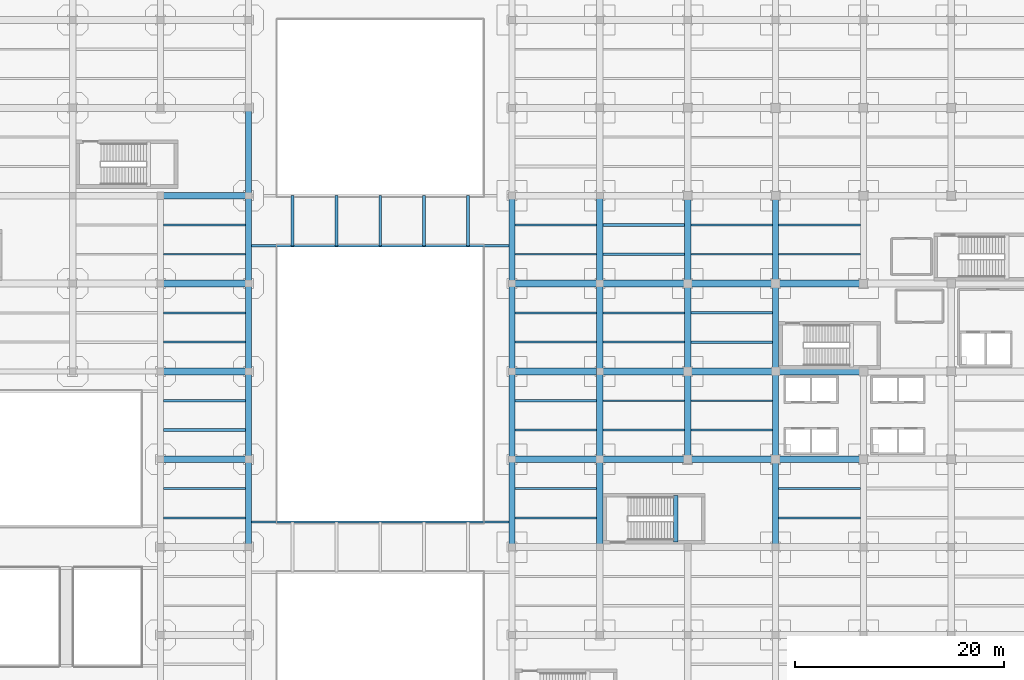
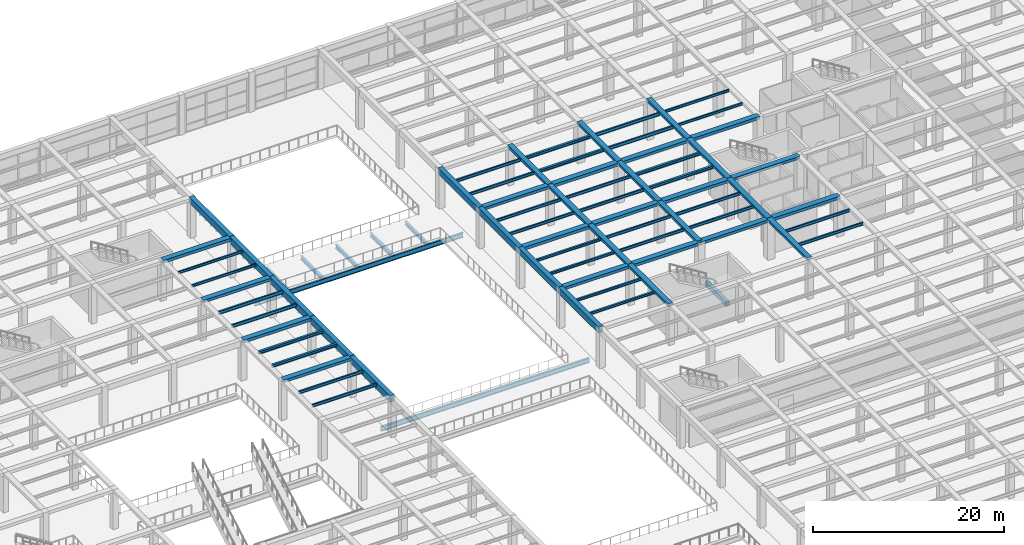
# One storey, part 42 of 95: 76 beams.
"""IFC4 building model written with IfcOpenShell, lengths in metres."""

import ifcopenshell
import ifcopenshell.guid

model = None  # the IFC model being written
_history = None  # IfcOwnerHistory: only IFC2X3 demands one
_inside = {}  # id of a spatial element -> (the spatial element, [elements in it])
_under = {}  # id of a project, library or spatial element -> (it, [spatial elements below it])
_declared = {}  # id of a project -> (the project, [libraries it declares])
_typed = {}  # id of a type object -> (the type object, [elements of that type])
_made_of = {}  # id of a material, layer set ... -> (it, [elements and type objects made of it])


def new_model(schema):
    """Start an empty IFC model of exactly this schema.

    Asked for "IFC4X3", IfcOpenShell would pick the latest addendum, in which some entities
    have other attributes; the version numbers below select the first issue.
    IFC2X3 requires an IfcOwnerHistory on every rooted entity: one is made here for all.
    """
    global model, _history
    if schema == "IFC4X3":
        model = ifcopenshell.file(schema_version=(4, 3, 0, 0))
    else:
        model = ifcopenshell.file(schema=schema)
    _inside.clear()
    _under.clear()
    _declared.clear()
    _typed.clear()
    _made_of.clear()
    _history = None
    if model.schema == "IFC2X3":
        org = make("IfcOrganization", Name="unknown")
        user = make(
            "IfcPersonAndOrganization",
            ThePerson=make("IfcPerson", FamilyName="unknown"),
            TheOrganization=org,
        )
        app = make(
            "IfcApplication",
            ApplicationDeveloper=org,
            Version="unknown",
            ApplicationFullName="unknown",
            ApplicationIdentifier="unknown",
        )
        _history = make(
            "IfcOwnerHistory",
            OwningUser=user,
            OwningApplication=app,
            ChangeAction="ADDED",
            CreationDate=0,
        )
    return model


def make(cls, **values):
    """One entity of the class cls with the attributes given. An attribute that is None is left unset."""
    return model.create_entity(
        cls, **{name: value for name, value in values.items() if value is not None}
    )


def rooted(cls, **values):
    """An entity with a GlobalId (a new one), such as an element, a storey or a relation."""
    return make(cls, GlobalId=ifcopenshell.guid.new(), OwnerHistory=_history, **values)


def si_unit(unit_type, name, prefix=None):
    """IfcSIUnit, for example si_unit("LENGTHUNIT", "METRE", prefix="MILLI")."""
    return make("IfcSIUnit", UnitType=unit_type, Prefix=prefix, Name=name)


def assignment(units):
    """IfcUnitAssignment: the units of a project."""
    return None if units is None else make("IfcUnitAssignment", Units=units)


def point(xyz):
    """IfcCartesianPoint."""
    return None if xyz is None else make("IfcCartesianPoint", Coordinates=xyz)


def direction(xyz):
    """IfcDirection."""
    return None if xyz is None else make("IfcDirection", DirectionRatios=xyz)


def frame(location, z_axis=None, x_axis=None):
    """IfcAxis2Placement3D, a coordinate frame: its origin and axes. An axis left out is left unset."""
    return make(
        "IfcAxis2Placement3D",
        Location=point(location),
        Axis=direction(z_axis),
        RefDirection=direction(x_axis),
    )


def frame_2d(location, x_axis=None):
    """IfcAxis2Placement2D, a coordinate frame in the plane: its origin and x axis."""
    return make(
        "IfcAxis2Placement2D", Location=point(location), RefDirection=direction(x_axis)
    )


def origin():
    """The frame at (0, 0, 0) with its axes left unset."""
    return frame((0.0, 0.0, 0.0))


def origin_2d():
    """The frame at (0, 0) in the plane with its x axis left unset."""
    return frame_2d((0.0, 0.0))


def place(relative_to, where):
    """IfcLocalPlacement: puts the frame where relative to a parent placement (None: the world)."""
    return make(
        "IfcLocalPlacement", PlacementRelTo=relative_to, RelativePlacement=where
    )


def context(
    kind, dimensions, precision=None, world=None, true_north=None, identifier=None
):
    """IfcGeometricRepresentationContext, for example the 3D "Model" context."""
    return make(
        "IfcGeometricRepresentationContext",
        ContextIdentifier=identifier,
        ContextType=kind,
        CoordinateSpaceDimension=dimensions,
        Precision=precision,
        WorldCoordinateSystem=world,
        TrueNorth=true_north,
    )


def subcontext(parent, identifier, kind, view, scale=None):
    """IfcGeometricRepresentationSubContext, for example "Body" below "Model"."""
    return make(
        "IfcGeometricRepresentationSubContext",
        ContextIdentifier=identifier,
        ContextType=kind,
        ParentContext=parent,
        TargetScale=scale,
        TargetView=view,
    )


def project(units=None, contexts=None):
    """IfcProject with its units and contexts."""
    return rooted(
        "IfcProject",
        Name="project",
        RepresentationContexts=contexts,
        UnitsInContext=assignment(units),
    )


def spatial(cls, under=None, at=None, **own):
    """A site, building, storey or space (cls), placed at a placement, below another one or the project."""
    s = rooted(cls, ObjectPlacement=at, **own)
    if under is not None:
        _under.setdefault(under.id(), (under, []))[1].append(s)
    return s


def profile(cls, at=None, kind="AREA", **sizes):
    """A parametric profile (cls). Its sizes go by their IFC names, for example OverallWidth=200.0."""
    return make(cls, ProfileType=kind, Position=at, **sizes)


def rectangle(**sizes):
    """IfcRectangleProfileDef."""
    return profile("IfcRectangleProfileDef", **sizes)


def i_section(**sizes):
    """IfcIShapeProfileDef."""
    return profile("IfcIShapeProfileDef", **sizes)


def extrude(swept, where, along, depth):
    """IfcExtrudedAreaSolid: the profile swept, set in the frame where, extruded along a direction by depth."""
    return make(
        "IfcExtrudedAreaSolid",
        SweptArea=swept,
        Position=where,
        ExtrudedDirection=direction(along),
        Depth=depth,
    )


def shape(context_of_items, identifier, shape_type, items):
    """IfcShapeRepresentation: the items that make up one representation, for example the "Body"."""
    return make(
        "IfcShapeRepresentation",
        ContextOfItems=context_of_items,
        RepresentationIdentifier=identifier,
        RepresentationType=shape_type,
        Items=items,
    )


def material(Name=None, Category=None):
    """IfcMaterial."""
    return make("IfcMaterial", Name=Name, Category=Category)


def material_profile(
    of_material, cross_section, Name=None, Category=None, Priority=None
):
    """IfcMaterialProfile: a cross section and its material."""
    return make(
        "IfcMaterialProfile",
        Name=Name,
        Material=of_material,
        Profile=cross_section,
        Priority=Priority,
        Category=Category,
    )


def profile_set(profiles, Name=None, composite=None):
    """IfcMaterialProfileSet."""
    return make(
        "IfcMaterialProfileSet",
        Name=Name,
        MaterialProfiles=profiles,
        CompositeProfile=composite,
    )


def made_of(thing, what):
    """Note that an element or type object is made of a material, layer set ...; save() writes the relation."""
    if what is not None:
        _made_of.setdefault(what.id(), (what, []))[1].append(thing)
    return thing


def type_object(cls, material=None, **own):
    """A type object (cls), such as IfcWallType, which elements share."""
    return made_of(rooted(cls, **own), material)


def element(
    cls,
    number,
    at=None,
    inside=None,
    cuts=None,
    type_object=None,
    material=None,
    context=None,
    identifier="Body",
    shape_type=None,
    held_by="IfcProductDefinitionShape",
    body=None,
    shapes=None,
    **own,
):
    """One element of the class cls, such as IfcWall. Its Tag is "e" and its number.

    at: its placement. inside: the storey or other place that contains it. cuts: it is an
    opening in that element (IfcRelVoidsElement). A single representation is given by context,
    identifier, shape_type and body (its items); several are given by shapes. held_by: the class
    of the entity that holds the representations. save() writes the other relations.
    """
    e = rooted(cls, Tag="e%d" % number, ObjectPlacement=at, **own)
    if body is not None:
        shapes = [shape(context, identifier, shape_type, body)]
    if shapes is not None:
        e.Representation = make(held_by, Representations=shapes)
    if inside is not None:
        _inside.setdefault(inside.id(), (inside, []))[1].append(e)
    if cuts is not None:
        rooted(
            "IfcRelVoidsElement", RelatingBuildingElement=cuts, RelatedOpeningElement=e
        )
    if type_object is not None:
        _typed.setdefault(type_object.id(), (type_object, []))[1].append(e)
    return made_of(e, material)


def aggregate(whole, parts):
    """IfcRelAggregates: a whole, such as a stair, and the parts it consists of."""
    return rooted("IfcRelAggregates", RelatingObject=whole, RelatedObjects=parts)


def save(model, path):
    """Write the relations noted so far, then the file.

    IfcRelAggregates (storeys below a building ...), IfcRelContainedInSpatialStructure (elements
    in a storey), IfcRelDefinesByType, IfcRelAssociatesMaterial and IfcRelDeclares: one each for
    every whole, place, type object, material and project.
    """
    for whole, parts in _under.values():
        aggregate(whole, parts)
    for where, things in _inside.values():
        rooted(
            "IfcRelContainedInSpatialStructure",
            RelatedElements=things,
            RelatingStructure=where,
        )
    for kind, things in _typed.values():
        rooted("IfcRelDefinesByType", RelatedObjects=things, RelatingType=kind)
    for what, things in _made_of.values():
        rooted("IfcRelAssociatesMaterial", RelatedObjects=things, RelatingMaterial=what)
    for by, libraries in _declared.values():
        rooted("IfcRelDeclares", RelatingContext=by, RelatedDefinitions=libraries)
    model.write(path)


model = new_model("IFC4")

# Units and contexts
model_context = context("Model", 3, precision=1e-05, world=origin(), true_north=direction((0.0, 1.0)))
body_context = subcontext(model_context, "Body", "Model", "MODEL_VIEW")
ifc_project = project(units=[si_unit("LENGTHUNIT", "METRE"), si_unit("AREAUNIT", "SQUARE_METRE"), si_unit("VOLUMEUNIT", "CUBIC_METRE"), si_unit("PLANEANGLEUNIT", "RADIAN"), si_unit("MASSUNIT", "GRAM", prefix="KILO")], contexts=[model_context])

# Site, building, storey
site_placement = place(None, origin())
site = spatial("IfcSite", under=ifc_project, at=site_placement, CompositionType="ELEMENT")
building_placement = place(site_placement, origin())
building = spatial("IfcBuilding", under=site, at=building_placement, Name="Almacenes y Pasaje Nevantli", CompositionType="ELEMENT")
storey_placement = place(building_placement, frame((0.0, 0.0, 11.39990234375)))
storey = spatial("IfcBuildingStorey", under=building, at=storey_placement, Name="L03", CompositionType="ELEMENT", Elevation=11.39990234375)

# Beams
ifc_material_1 = material(Name="Concrete C35/45", Category="concrete")
ifc_material_profile_1 = material_profile(ifc_material_1, rectangle(XDim=0.39990234375, YDim=0.60009765625, at=origin_2d()), Name="RC-BM-400x600")
ifc_profile_set_1 = profile_set([ifc_material_profile_1], Name="Concrete C35/45")
beam_type_1 = type_object("IfcBeamType", Name="BM-RC-400x600", PredefinedType="SPANDREL", material=ifc_profile_set_1)
beam_1_placement = place(storey_placement, frame((108.050048828125, 59.300048828125, 2.2001953125), z_axis=(0.0, 1.0, 0.0), x_axis=(-1.0, 0.0, 0.0)))
element("IfcBeam", 1, at=beam_1_placement, inside=storey, type_object=beam_type_1, Name="L03 Stair ST-13 Half-Landing Support Beam", PredefinedType="SPANDREL", context=body_context, shape_type="SweptSolid", body=[
    extrude(rectangle(XDim=0.39990234375, YDim=0.60009765625, at=origin_2d()), origin(), (0.0, 0.0, 1.0), 4.449951171875),
])
ifc_material_2 = material(Name="Concrete C35/45", Category="concrete")
ifc_material_profile_2 = material_profile(ifc_material_2, rectangle(XDim=0.550048828125, YDim=0.800048828125, at=origin_2d()), Name="RC-BM-550x800")
ifc_profile_set_2 = profile_set([ifc_material_profile_2], Name="Concrete C35/45")
beam_type_2 = type_object("IfcBeamType", Name="BM-RC-550x800", PredefinedType="BEAM", material=ifc_profile_set_2)
beam_2_placement = place(storey_placement, frame((67.199951171875, 58.800048828125, 4.7001953125), z_axis=(0.0, 1.0, 0.0), x_axis=(-1.0, 0.0, 0.0)))
element("IfcBeam", 2, at=beam_2_placement, inside=storey, type_object=beam_type_2, Name="L03 North-South Reinforced Concrete Beam #2575", PredefinedType="BEAM", context=body_context, shape_type="SweptSolid", body=[
    extrude(rectangle(XDim=0.550048828125, YDim=0.800048828125, at=origin_2d()), origin(), (0.0, 0.0, 1.0), 8.39990234375),
])
beam_3_placement = place(storey_placement, frame((67.199951171875, 67.199951171875, 4.7001953125), z_axis=(0.0, 1.0, 0.0), x_axis=(-1.0, 0.0, 0.0)))
element("IfcBeam", 3, at=beam_3_placement, inside=storey, type_object=beam_type_2, Name="L03 North-South Reinforced Concrete Beam #2576", PredefinedType="BEAM", context=body_context, shape_type="SweptSolid", body=[
    extrude(rectangle(XDim=0.550048828125, YDim=0.800048828125, at=origin_2d()), origin(), (0.0, 0.0, 1.0), 8.400146484375),
])
for number, where, z_axis, x_axis, name in (
    (4, (67.199951171875, 75.60009765625, 4.7001953125), (0.0, 1.0, 0.0), (-1.0, 0.0, 0.0), "L03 North-South Reinforced Concrete Beam #2577"),
    (5, (67.199951171875, 84.0, 4.7001953125), (0.0, 1.0, 0.0), (-1.0, 0.0, 0.0), "L03 North-South Reinforced Concrete Beam #2578"),
):
    element("IfcBeam", number, at=place(storey_placement, frame(where, z_axis=z_axis, x_axis=x_axis)), inside=storey, type_object=beam_type_2, Name=name, PredefinedType="BEAM", context=body_context, shape_type="SweptSolid", body=[
        extrude(rectangle(XDim=0.550048828125, YDim=0.800048828125, at=origin_2d()), origin(), (0.0, 0.0, 1.0), 8.39990234375),
    ])
beam_4_placement = place(storey_placement, frame((67.199951171875, 92.39990234375, 4.7001953125), z_axis=(0.0, 1.0, 0.0), x_axis=(-1.0, 0.0, 0.0)))
element("IfcBeam", 6, at=beam_4_placement, inside=storey, type_object=beam_type_2, Name="L03 North-South Reinforced Concrete Beam #2579", PredefinedType="BEAM", context=body_context, shape_type="SweptSolid", body=[
    extrude(rectangle(XDim=0.550048828125, YDim=0.800048828125, at=origin_2d()), origin(), (0.0, 0.0, 1.0), 8.400146484375),
])
beam_5_placement = place(storey_placement, frame((92.39990234375, 58.800048828125, 4.7001953125), z_axis=(0.0, 1.0, 0.0), x_axis=(-1.0, 0.0, 0.0)))
element("IfcBeam", 7, at=beam_5_placement, inside=storey, type_object=beam_type_2, Name="L03 North-South Reinforced Concrete Beam #2589", PredefinedType="BEAM", context=body_context, shape_type="SweptSolid", body=[
    extrude(rectangle(XDim=0.550048828125, YDim=0.800048828125, at=origin_2d()), origin(), (0.0, 0.0, 1.0), 8.39990234375),
])
beam_6_placement = place(storey_placement, frame((92.39990234375, 67.199951171875, 4.7001953125), z_axis=(0.0, 1.0, 0.0), x_axis=(-1.0, 0.0, 0.0)))
element("IfcBeam", 8, at=beam_6_placement, inside=storey, type_object=beam_type_2, Name="L03 North-South Reinforced Concrete Beam #2590", PredefinedType="BEAM", context=body_context, shape_type="SweptSolid", body=[
    extrude(rectangle(XDim=0.550048828125, YDim=0.800048828125, at=origin_2d()), origin(), (0.0, 0.0, 1.0), 8.400146484375),
])
for number, where, z_axis, x_axis, name in (
    (9, (92.39990234375, 75.60009765625, 4.7001953125), (0.0, 1.0, 0.0), (-1.0, 0.0, 0.0), "L03 North-South Reinforced Concrete Beam #2591"),
    (10, (92.39990234375, 84.0, 4.7001953125), (0.0, 1.0, 0.0), (-1.0, 0.0, 0.0), "L03 North-South Reinforced Concrete Beam #2592"),
):
    element("IfcBeam", number, at=place(storey_placement, frame(where, z_axis=z_axis, x_axis=x_axis)), inside=storey, type_object=beam_type_2, Name=name, PredefinedType="BEAM", context=body_context, shape_type="SweptSolid", body=[
        extrude(rectangle(XDim=0.550048828125, YDim=0.800048828125, at=origin_2d()), origin(), (0.0, 0.0, 1.0), 8.39990234375),
    ])
ifc_material_3 = material(Name="Concrete C35/45", Category="concrete")
ifc_material_profile_3 = material_profile(ifc_material_3, rectangle(XDim=0.60009765625, YDim=0.320068359375, at=origin_2d()), Name="RC-BM-600x320")
ifc_profile_set_3 = profile_set([ifc_material_profile_3], Name="Concrete C35/45")
beam_type_3 = type_object("IfcBeamType", Name="BM-RC-600x320", PredefinedType="BEAM", material=ifc_profile_set_3)
for number, where, z_axis, x_axis, name in (
    (11, (100.800048828125, 58.800048828125, 4.940185546875), (0.0, 1.0, 0.0), (-1.0, 0.0, 0.0), "L03 North-South Reinforced Concrete Beam #2602"),
    (12, (100.800048828125, 75.60009765625, 4.940185546875), (0.0, 1.0, 0.0), (-1.0, 0.0, 0.0), "L03 North-South Reinforced Concrete Beam #2604"),
):
    element("IfcBeam", number, at=place(storey_placement, frame(where, z_axis=z_axis, x_axis=x_axis)), inside=storey, type_object=beam_type_3, Name=name, PredefinedType="BEAM", context=body_context, shape_type="SweptSolid", body=[
        extrude(rectangle(XDim=0.60009765625, YDim=0.320068359375, at=origin_2d()), origin(), (0.0, 0.0, 1.0), 8.39990234375),
    ])
beam_7_placement = place(storey_placement, frame((109.199951171875, 67.199951171875, 4.940185546875), z_axis=(0.0, 1.0, 0.0), x_axis=(-1.0, 0.0, 0.0)))
element("IfcBeam", 13, at=beam_7_placement, inside=storey, type_object=beam_type_3, Name="L03 North-South Reinforced Concrete Beam #2616", PredefinedType="BEAM", context=body_context, shape_type="SweptSolid", body=[
    extrude(rectangle(XDim=0.60009765625, YDim=0.320068359375, at=origin_2d()), origin(), (0.0, 0.0, 1.0), 8.400146484375),
])
for number, where, z_axis, x_axis, name in (
    (14, (109.199951171875, 84.0, 4.940185546875), (0.0, 1.0, 0.0), (-1.0, 0.0, 0.0), "L03 North-South Reinforced Concrete Beam #2618"),
    (15, (117.60009765625, 58.800048828125, 4.940185546875), (0.0, 1.0, 0.0), (-1.0, 0.0, 0.0), "L03 North-South Reinforced Concrete Beam #2629"),
    (16, (117.60009765625, 75.60009765625, 4.940185546875), (0.0, 1.0, 0.0), (-1.0, 0.0, 0.0), "L03 North-South Reinforced Concrete Beam #2631"),
):
    element("IfcBeam", number, at=place(storey_placement, frame(where, z_axis=z_axis, x_axis=x_axis)), inside=storey, type_object=beam_type_3, Name=name, PredefinedType="BEAM", context=body_context, shape_type="SweptSolid", body=[
        extrude(rectangle(XDim=0.60009765625, YDim=0.320068359375, at=origin_2d()), origin(), (0.0, 0.0, 1.0), 8.39990234375),
    ])
ifc_material_4 = material(Name="Concrete C35/45", Category="concrete")
ifc_material_profile_4 = material_profile(ifc_material_4, rectangle(XDim=0.60009765625, YDim=0.340087890625, at=origin_2d()), Name="RC-BM-600x340")
ifc_profile_set_4 = profile_set([ifc_material_profile_4], Name="Concrete C35/45")
beam_type_4 = type_object("IfcBeamType", Name="BM-RC-600x340", PredefinedType="BEAM", material=ifc_profile_set_4)
beam_8_placement = place(storey_placement, frame((100.800048828125, 67.199951171875, 4.93017578125), z_axis=(0.0, 1.0, 0.0), x_axis=(-1.0, 0.0, 0.0)))
element("IfcBeam", 17, at=beam_8_placement, inside=storey, type_object=beam_type_4, Name="L03 North-South Reinforced Concrete Beam #2603", PredefinedType="BEAM", context=body_context, shape_type="SweptSolid", body=[
    extrude(rectangle(XDim=0.60009765625, YDim=0.340087890625, at=origin_2d()), origin(), (0.0, 0.0, 1.0), 8.400146484375),
])
for number, where, z_axis, x_axis, name in (
    (18, (100.800048828125, 84.0, 4.93017578125), (0.0, 1.0, 0.0), (-1.0, 0.0, 0.0), "L03 North-South Reinforced Concrete Beam #2605"),
    (19, (109.199951171875, 75.60009765625, 4.93017578125), (0.0, 1.0, 0.0), (-1.0, 0.0, 0.0), "L03 North-South Reinforced Concrete Beam #2617"),
):
    element("IfcBeam", number, at=place(storey_placement, frame(where, z_axis=z_axis, x_axis=x_axis)), inside=storey, type_object=beam_type_4, Name=name, PredefinedType="BEAM", context=body_context, shape_type="SweptSolid", body=[
        extrude(rectangle(XDim=0.60009765625, YDim=0.340087890625, at=origin_2d()), origin(), (0.0, 0.0, 1.0), 8.39990234375),
    ])
beam_9_placement = place(storey_placement, frame((117.60009765625, 67.199951171875, 4.93017578125), z_axis=(0.0, 1.0, 0.0), x_axis=(-1.0, 0.0, 0.0)))
element("IfcBeam", 20, at=beam_9_placement, inside=storey, type_object=beam_type_4, Name="L03 North-South Reinforced Concrete Beam #2630", PredefinedType="BEAM", context=body_context, shape_type="SweptSolid", body=[
    extrude(rectangle(XDim=0.60009765625, YDim=0.340087890625, at=origin_2d()), origin(), (0.0, 0.0, 1.0), 8.400146484375),
])
beam_10_placement = place(storey_placement, frame((117.60009765625, 84.0, 4.93017578125), z_axis=(0.0, 1.0, 0.0), x_axis=(-1.0, 0.0, 0.0)))
element("IfcBeam", 21, at=beam_10_placement, inside=storey, type_object=beam_type_4, Name="L03 North-South Reinforced Concrete Beam #2632", PredefinedType="BEAM", context=body_context, shape_type="SweptSolid", body=[
    extrude(rectangle(XDim=0.60009765625, YDim=0.340087890625, at=origin_2d()), origin(), (0.0, 0.0, 1.0), 8.39990234375),
])
ifc_material_5 = material(Name="Concrete C35/45", Category="concrete")
ifc_material_profile_5 = material_profile(ifc_material_5, rectangle(XDim=0.64990234375, YDim=0.35009765625, at=origin_2d()), Name="RC-BM-650x350")
ifc_profile_set_5 = profile_set([ifc_material_profile_5], Name="Concrete C35/45")
beam_type_5 = type_object("IfcBeamType", Name="BM-RC-650x350", PredefinedType="BEAM", material=ifc_profile_set_5)
beam_11_placement = place(storey_placement, frame((58.800048828125, 67.199951171875, 4.925048828125), z_axis=(1.0, 0.0, 0.0), x_axis=(0.0, 1.0, 0.0)))
element("IfcBeam", 22, at=beam_11_placement, inside=storey, type_object=beam_type_5, Name="L03 East-West Reinforced Concrete Beam #2365", PredefinedType="BEAM", context=body_context, shape_type="SweptSolid", body=[
    extrude(rectangle(XDim=0.64990234375, YDim=0.35009765625, at=origin_2d()), origin(), (0.0, 0.0, 1.0), 8.39990234375),
])
for number, where, z_axis, x_axis, name in (
    (23, (92.39990234375, 67.199951171875, 4.925048828125), (1.0, 0.0, 0.0), (0.0, 1.0, 0.0), "L03 East-West Reinforced Concrete Beam #2366"),
    (24, (109.199951171875, 67.199951171875, 4.925048828125), (1.0, 0.0, 0.0), (0.0, 1.0, 0.0), "L03 East-West Reinforced Concrete Beam #2368"),
):
    element("IfcBeam", number, at=place(storey_placement, frame(where, z_axis=z_axis, x_axis=x_axis)), inside=storey, type_object=beam_type_5, Name=name, PredefinedType="BEAM", context=body_context, shape_type="SweptSolid", body=[
        extrude(rectangle(XDim=0.64990234375, YDim=0.35009765625, at=origin_2d()), origin(), (0.0, 0.0, 1.0), 8.400146484375),
    ])
for number, where, z_axis, x_axis, name in (
    (25, (100.800048828125, 75.60009765625, 4.925048828125), (1.0, 0.0, 0.0), (0.0, 1.0, 0.0), "L03 East-West Reinforced Concrete Beam #2384"),
    (26, (117.60009765625, 75.60009765625, 4.925048828125), (1.0, 0.0, 0.0), (0.0, 1.0, 0.0), "L03 East-West Reinforced Concrete Beam #2386"),
    (27, (58.800048828125, 84.0, 4.925048828125), (1.0, 0.0, 0.0), (0.0, 1.0, 0.0), "L03 East-West Reinforced Concrete Beam #2399"),
):
    element("IfcBeam", number, at=place(storey_placement, frame(where, z_axis=z_axis, x_axis=x_axis)), inside=storey, type_object=beam_type_5, Name=name, PredefinedType="BEAM", context=body_context, shape_type="SweptSolid", body=[
        extrude(rectangle(XDim=0.64990234375, YDim=0.35009765625, at=origin_2d()), origin(), (0.0, 0.0, 1.0), 8.39990234375),
    ])
for number, where, z_axis, x_axis, name in (
    (28, (92.39990234375, 84.0, 4.925048828125), (1.0, 0.0, 0.0), (0.0, 1.0, 0.0), "L03 East-West Reinforced Concrete Beam #2400"),
    (29, (109.199951171875, 84.0, 4.925048828125), (1.0, 0.0, 0.0), (0.0, 1.0, 0.0), "L03 East-West Reinforced Concrete Beam #2402"),
):
    element("IfcBeam", number, at=place(storey_placement, frame(where, z_axis=z_axis, x_axis=x_axis)), inside=storey, type_object=beam_type_5, Name=name, PredefinedType="BEAM", context=body_context, shape_type="SweptSolid", body=[
        extrude(rectangle(XDim=0.64990234375, YDim=0.35009765625, at=origin_2d()), origin(), (0.0, 0.0, 1.0), 8.400146484375),
    ])
ifc_material_6 = material(Name="Concrete C35/45", Category="concrete")
ifc_material_profile_6 = material_profile(ifc_material_6, rectangle(XDim=0.64990234375, YDim=0.3798828125, at=origin_2d()), Name="RC-BM-650x380")
ifc_profile_set_6 = profile_set([ifc_material_profile_6], Name="Concrete C35/45")
beam_type_6 = type_object("IfcBeamType", Name="BM-RC-650x380", PredefinedType="BEAM", material=ifc_profile_set_6)
for number, where, z_axis, x_axis, name in (
    (30, (100.800048828125, 67.199951171875, 4.91015625), (1.0, 0.0, 0.0), (0.0, 1.0, 0.0), "L03 East-West Reinforced Concrete Beam #2367"),
    (31, (117.60009765625, 67.199951171875, 4.91015625), (1.0, 0.0, 0.0), (0.0, 1.0, 0.0), "L03 East-West Reinforced Concrete Beam #2369"),
    (32, (58.800048828125, 75.60009765625, 4.91015625), (1.0, 0.0, 0.0), (0.0, 1.0, 0.0), "L03 East-West Reinforced Concrete Beam #2382"),
):
    element("IfcBeam", number, at=place(storey_placement, frame(where, z_axis=z_axis, x_axis=x_axis)), inside=storey, type_object=beam_type_6, Name=name, PredefinedType="BEAM", context=body_context, shape_type="SweptSolid", body=[
        extrude(rectangle(XDim=0.64990234375, YDim=0.3798828125, at=origin_2d()), origin(), (0.0, 0.0, 1.0), 8.39990234375),
    ])
for number, where, z_axis, x_axis, name in (
    (33, (92.39990234375, 75.60009765625, 4.91015625), (1.0, 0.0, 0.0), (0.0, 1.0, 0.0), "L03 East-West Reinforced Concrete Beam #2383"),
    (34, (109.199951171875, 75.60009765625, 4.91015625), (1.0, 0.0, 0.0), (0.0, 1.0, 0.0), "L03 East-West Reinforced Concrete Beam #2385"),
):
    element("IfcBeam", number, at=place(storey_placement, frame(where, z_axis=z_axis, x_axis=x_axis)), inside=storey, type_object=beam_type_6, Name=name, PredefinedType="BEAM", context=body_context, shape_type="SweptSolid", body=[
        extrude(rectangle(XDim=0.64990234375, YDim=0.3798828125, at=origin_2d()), origin(), (0.0, 0.0, 1.0), 8.400146484375),
    ])
for number, where, z_axis, x_axis, name in (
    (35, (100.800048828125, 84.0, 4.91015625), (1.0, 0.0, 0.0), (0.0, 1.0, 0.0), "L03 East-West Reinforced Concrete Beam #2401"),
    (36, (117.60009765625, 84.0, 4.91015625), (1.0, 0.0, 0.0), (0.0, 1.0, 0.0), "L03 East-West Reinforced Concrete Beam #2403"),
    (37, (58.800048828125, 92.39990234375, 4.91015625), (1.0, 0.0, 0.0), (0.0, 1.0, 0.0), "L03 East-West Reinforced Concrete Beam #2416"),
):
    element("IfcBeam", number, at=place(storey_placement, frame(where, z_axis=z_axis, x_axis=x_axis)), inside=storey, type_object=beam_type_6, Name=name, PredefinedType="BEAM", context=body_context, shape_type="SweptSolid", body=[
        extrude(rectangle(XDim=0.64990234375, YDim=0.3798828125, at=origin_2d()), origin(), (0.0, 0.0, 1.0), 8.39990234375),
    ])
ifc_material_7 = material(Name="Steel ASTM A992", Category="steel")
ifc_material_profile_7 = material_profile(ifc_material_7, i_section(OverallWidth=0.1650390625, OverallDepth=0.306884765625, WebThickness=0.006591796875, FlangeThickness=0.01025390625, at=origin_2d()), Name="IR 305x44.6")
ifc_profile_set_7 = profile_set([ifc_material_profile_7], Name="Steel ASTM A992")
beam_type_7 = type_object("IfcBeamType", Name="BM-STL-IR-305x44p6", PredefinedType="JOIST", material=ifc_profile_set_7)
for number, where, z_axis, x_axis, name in (
    (38, (59.10009765625, 86.800048828125, 4.9384765625), (1.0, 0.0, 0.0), (0.0, 1.0, 0.0), "L03 Secondary Steel Floor Joist #789"),
    (39, (59.10009765625, 89.60009765625, 4.9384765625), (1.0, 0.0, 0.0), (0.0, 1.0, 0.0), "L03 Secondary Steel Floor Joist #790"),
):
    element("IfcBeam", number, at=place(storey_placement, frame(where, z_axis=z_axis, x_axis=x_axis)), inside=storey, type_object=beam_type_7, Name=name, PredefinedType="JOIST", context=body_context, shape_type="SweptSolid", body=[
        extrude(i_section(OverallWidth=0.1650390625, OverallDepth=0.306884765625, WebThickness=0.006591796875, FlangeThickness=0.01025390625, at=origin_2d()), origin(), (0.0, 0.0, 1.0), 7.824951171875),
    ])
for number, where, z_axis, x_axis, name in (
    (40, (117.89990234375, 86.800048828125, 4.9384765625), (1.0, 0.0, 0.0), (0.0, 1.0, 0.0), "L03 Secondary Steel Floor Joist #887"),
    (41, (117.89990234375, 89.60009765625, 4.9384765625), (1.0, 0.0, 0.0), (0.0, 1.0, 0.0), "L03 Secondary Steel Floor Joist #888"),
):
    element("IfcBeam", number, at=place(storey_placement, frame(where, z_axis=z_axis, x_axis=x_axis)), inside=storey, type_object=beam_type_7, Name=name, PredefinedType="JOIST", context=body_context, shape_type="SweptSolid", body=[
        extrude(i_section(OverallWidth=0.1650390625, OverallDepth=0.306884765625, WebThickness=0.006591796875, FlangeThickness=0.01025390625, at=origin_2d()), origin(), (0.0, 0.0, 1.0), 7.800048828125),
    ])
ifc_material_8 = material(Name="Steel ASTM A992", Category="steel")
ifc_material_profile_8 = material_profile(ifc_material_8, i_section(OverallWidth=0.202880859375, OverallDepth=0.304931640625, WebThickness=0.007568359375, FlangeThickness=0.01318359375, at=origin_2d()), Name="IR 305x59.5")
ifc_profile_set_8 = profile_set([ifc_material_profile_8], Name="Steel ASTM A992")
beam_type_8 = type_object("IfcBeamType", Name="BM-STL-IR-305x59p5", PredefinedType="JOIST", material=ifc_profile_set_8)
for number, where, z_axis, x_axis, name in (
    (42, (92.675048828125, 61.60009765625, 4.939697265625), (1.0, 0.0, 0.0), (0.0, 1.0, 0.0), "L03 Secondary Steel Floor Joist #807"),
    (43, (92.675048828125, 64.39990234375, 4.939697265625), (1.0, 0.0, 0.0), (0.0, 1.0, 0.0), "L03 Secondary Steel Floor Joist #808"),
):
    element("IfcBeam", number, at=place(storey_placement, frame(where, z_axis=z_axis, x_axis=x_axis)), inside=storey, type_object=beam_type_8, Name=name, PredefinedType="JOIST", context=body_context, shape_type="SweptSolid", body=[
        extrude(i_section(OverallWidth=0.202880859375, OverallDepth=0.304931640625, WebThickness=0.007568359375, FlangeThickness=0.01318359375, at=origin_2d()), origin(), (0.0, 0.0, 1.0), 7.824951171875),
    ])
ifc_material_9 = material(Name="Steel ASTM A992", Category="steel")
ifc_material_profile_9 = material_profile(ifc_material_9, i_section(OverallWidth=0.205078125, OverallDepth=0.31005859375, WebThickness=0.009521484375, FlangeThickness=0.016357421875, at=origin_2d()), Name="IR 305x74.4")
ifc_profile_set_9 = profile_set([ifc_material_profile_9], Name="Steel ASTM A992")
beam_type_9 = type_object("IfcBeamType", Name="BM-STL-IR-305x74p4", PredefinedType="JOIST", material=ifc_profile_set_9)
for number, where, z_axis, x_axis, name in (
    (44, (92.675048828125, 70.0, 4.93701171875), (1.0, 0.0, 0.0), (0.0, 1.0, 0.0), "L03 Secondary Steel Floor Joist #809"),
    (45, (92.675048828125, 72.800048828125, 4.93701171875), (1.0, 0.0, 0.0), (0.0, 1.0, 0.0), "L03 Secondary Steel Floor Joist #810"),
):
    element("IfcBeam", number, at=place(storey_placement, frame(where, z_axis=z_axis, x_axis=x_axis)), inside=storey, type_object=beam_type_9, Name=name, PredefinedType="JOIST", context=body_context, shape_type="SweptSolid", body=[
        extrude(i_section(OverallWidth=0.205078125, OverallDepth=0.31005859375, WebThickness=0.009521484375, FlangeThickness=0.016357421875, at=origin_2d()), origin(), (0.0, 0.0, 1.0), 7.824951171875),
    ])
ifc_material_10 = material(Name="Steel ASTM A992", Category="steel")
ifc_material_profile_10 = material_profile(ifc_material_10, i_section(OverallWidth=0.173095703125, OverallDepth=0.35302734375, WebThickness=0.0078125, FlangeThickness=0.01318359375, at=origin_2d()), Name="IR 356x56.6")
ifc_profile_set_10 = profile_set([ifc_material_profile_10], Name="Steel ASTM A992")
beam_type_10 = type_object("IfcBeamType", Name="BM-STL-IR-356x56p6", PredefinedType="JOIST", material=ifc_profile_set_10)
for number, where, z_axis, x_axis, name in (
    (46, (92.675048828125, 78.39990234375, 4.91552734375), (1.0, 0.0, 0.0), (0.0, 1.0, 0.0), "L03 Secondary Steel Floor Joist #811"),
    (47, (92.675048828125, 81.199951171875, 4.91552734375), (1.0, 0.0, 0.0), (0.0, 1.0, 0.0), "L03 Secondary Steel Floor Joist #812"),
):
    element("IfcBeam", number, at=place(storey_placement, frame(where, z_axis=z_axis, x_axis=x_axis)), inside=storey, type_object=beam_type_10, Name=name, PredefinedType="JOIST", context=body_context, shape_type="SweptSolid", body=[
        extrude(i_section(OverallWidth=0.173095703125, OverallDepth=0.35302734375, WebThickness=0.0078125, FlangeThickness=0.01318359375, at=origin_2d()), origin(), (0.0, 0.0, 1.0), 7.824951171875),
    ])
for number, where, z_axis, x_axis, name in (
    (48, (101.10009765625, 70.0, 4.91552734375), (1.0, 0.0, 0.0), (0.0, 1.0, 0.0), "L03 Secondary Steel Floor Joist #833"),
    (49, (101.10009765625, 72.800048828125, 4.91552734375), (1.0, 0.0, 0.0), (0.0, 1.0, 0.0), "L03 Secondary Steel Floor Joist #834"),
):
    element("IfcBeam", number, at=place(storey_placement, frame(where, z_axis=z_axis, x_axis=x_axis)), inside=storey, type_object=beam_type_10, Name=name, PredefinedType="JOIST", context=body_context, shape_type="SweptSolid", body=[
        extrude(i_section(OverallWidth=0.173095703125, OverallDepth=0.35302734375, WebThickness=0.0078125, FlangeThickness=0.01318359375, at=origin_2d()), origin(), (0.0, 0.0, 1.0), 7.7998046875),
    ])
ifc_material_11 = material(Name="Steel ASTM A992", Category="steel")
ifc_material_profile_11 = material_profile(ifc_material_11, i_section(OverallWidth=0.173095703125, OverallDepth=0.364013671875, WebThickness=0.009033203125, FlangeThickness=0.015625, at=origin_2d()), Name="IR 356x67.0")
ifc_profile_set_11 = profile_set([ifc_material_profile_11], Name="Steel ASTM A992")
beam_type_11 = type_object("IfcBeamType", Name="BM-STL-IR-356x67p0", PredefinedType="JOIST", material=ifc_profile_set_11)
for number, where, z_axis, x_axis, name in (
    (50, (59.10009765625, 61.60009765625, 4.91015625), (1.0, 0.0, 0.0), (0.0, 1.0, 0.0), "L03 Secondary Steel Floor Joist #783"),
    (51, (59.10009765625, 64.39990234375, 4.91015625), (1.0, 0.0, 0.0), (0.0, 1.0, 0.0), "L03 Secondary Steel Floor Joist #784"),
    (52, (92.675048828125, 86.800048828125, 4.91015625), (1.0, 0.0, 0.0), (0.0, 1.0, 0.0), "L03 Secondary Steel Floor Joist #813"),
    (53, (92.675048828125, 89.60009765625, 4.91015625), (1.0, 0.0, 0.0), (0.0, 1.0, 0.0), "L03 Secondary Steel Floor Joist #814"),
):
    element("IfcBeam", number, at=place(storey_placement, frame(where, z_axis=z_axis, x_axis=x_axis)), inside=storey, type_object=beam_type_11, Name=name, PredefinedType="JOIST", context=body_context, shape_type="SweptSolid", body=[
        extrude(i_section(OverallWidth=0.173095703125, OverallDepth=0.364013671875, WebThickness=0.009033203125, FlangeThickness=0.015625, at=origin_2d()), origin(), (0.0, 0.0, 1.0), 7.824951171875),
    ])
for number, where, z_axis, x_axis, name in (
    (54, (101.10009765625, 78.39990234375, 4.91015625), (1.0, 0.0, 0.0), (0.0, 1.0, 0.0), "L03 Secondary Steel Floor Joist #835"),
    (55, (101.10009765625, 81.199951171875, 4.91015625), (1.0, 0.0, 0.0), (0.0, 1.0, 0.0), "L03 Secondary Steel Floor Joist #836"),
):
    element("IfcBeam", number, at=place(storey_placement, frame(where, z_axis=z_axis, x_axis=x_axis)), inside=storey, type_object=beam_type_11, Name=name, PredefinedType="JOIST", context=body_context, shape_type="SweptSolid", body=[
        extrude(i_section(OverallWidth=0.173095703125, OverallDepth=0.364013671875, WebThickness=0.009033203125, FlangeThickness=0.015625, at=origin_2d()), origin(), (0.0, 0.0, 1.0), 7.7998046875),
    ])
for number, where, z_axis, x_axis, name in (
    (56, (109.5, 70.0, 4.91015625), (1.0, 0.0, 0.0), (0.0, 1.0, 0.0), "L03 Secondary Steel Floor Joist #859"),
    (57, (109.5, 72.800048828125, 4.91015625), (1.0, 0.0, 0.0), (0.0, 1.0, 0.0), "L03 Secondary Steel Floor Joist #860"),
    (58, (117.89990234375, 61.60009765625, 4.91015625), (1.0, 0.0, 0.0), (0.0, 1.0, 0.0), "L03 Secondary Steel Floor Joist #885"),
    (59, (117.89990234375, 64.39990234375, 4.91015625), (1.0, 0.0, 0.0), (0.0, 1.0, 0.0), "L03 Secondary Steel Floor Joist #886"),
):
    element("IfcBeam", number, at=place(storey_placement, frame(where, z_axis=z_axis, x_axis=x_axis)), inside=storey, type_object=beam_type_11, Name=name, PredefinedType="JOIST", context=body_context, shape_type="SweptSolid", body=[
        extrude(i_section(OverallWidth=0.173095703125, OverallDepth=0.364013671875, WebThickness=0.009033203125, FlangeThickness=0.015625, at=origin_2d()), origin(), (0.0, 0.0, 1.0), 7.800048828125),
    ])
ifc_material_12 = material(Name="Steel ASTM A992", Category="steel")
ifc_material_profile_12 = material_profile(ifc_material_12, i_section(OverallWidth=0.25390625, OverallDepth=0.35595703125, WebThickness=0.009521484375, FlangeThickness=0.016357421875, at=origin_2d()), Name="IR 356x79.0")
ifc_profile_set_12 = profile_set([ifc_material_profile_12], Name="Steel ASTM A992")
beam_type_12 = type_object("IfcBeamType", Name="BM-STL-IR-356x79p0", PredefinedType="JOIST", material=ifc_profile_set_12)
for number, where, z_axis, x_axis, name in (
    (60, (59.10009765625, 70.0, 4.9140625), (1.0, 0.0, 0.0), (0.0, 1.0, 0.0), "L03 Secondary Steel Floor Joist #785"),
    (61, (59.10009765625, 72.800048828125, 4.9140625), (1.0, 0.0, 0.0), (0.0, 1.0, 0.0), "L03 Secondary Steel Floor Joist #786"),
):
    element("IfcBeam", number, at=place(storey_placement, frame(where, z_axis=z_axis, x_axis=x_axis)), inside=storey, type_object=beam_type_12, Name=name, PredefinedType="JOIST", context=body_context, shape_type="SweptSolid", body=[
        extrude(i_section(OverallWidth=0.25390625, OverallDepth=0.35595703125, WebThickness=0.009521484375, FlangeThickness=0.016357421875, at=origin_2d()), origin(), (0.0, 0.0, 1.0), 7.824951171875),
    ])
for number, where, z_axis, x_axis, name in (
    (62, (101.10009765625, 86.800048828125, 4.9140625), (1.0, 0.0, 0.0), (0.0, 1.0, 0.0), "L03 Secondary Steel Floor Joist #837"),
    (63, (101.10009765625, 89.60009765625, 4.9140625), (1.0, 0.0, 0.0), (0.0, 1.0, 0.0), "L03 Secondary Steel Floor Joist #838"),
):
    element("IfcBeam", number, at=place(storey_placement, frame(where, z_axis=z_axis, x_axis=x_axis)), inside=storey, type_object=beam_type_12, Name=name, PredefinedType="JOIST", context=body_context, shape_type="SweptSolid", body=[
        extrude(i_section(OverallWidth=0.25390625, OverallDepth=0.35595703125, WebThickness=0.009521484375, FlangeThickness=0.016357421875, at=origin_2d()), origin(), (0.0, 0.0, 1.0), 7.7998046875),
    ])
for number, where, z_axis, x_axis, name in (
    (64, (109.5, 78.39990234375, 4.9140625), (1.0, 0.0, 0.0), (0.0, 1.0, 0.0), "L03 Secondary Steel Floor Joist #861"),
    (65, (109.5, 81.199951171875, 4.9140625), (1.0, 0.0, 0.0), (0.0, 1.0, 0.0), "L03 Secondary Steel Floor Joist #862"),
):
    element("IfcBeam", number, at=place(storey_placement, frame(where, z_axis=z_axis, x_axis=x_axis)), inside=storey, type_object=beam_type_12, Name=name, PredefinedType="JOIST", context=body_context, shape_type="SweptSolid", body=[
        extrude(i_section(OverallWidth=0.25390625, OverallDepth=0.35595703125, WebThickness=0.009521484375, FlangeThickness=0.016357421875, at=origin_2d()), origin(), (0.0, 0.0, 1.0), 7.800048828125),
    ])
ifc_material_13 = material(Name="Steel ASTM A992", Category="steel")
ifc_material_profile_13 = material_profile(ifc_material_13, i_section(OverallWidth=0.178955078125, OverallDepth=0.406005859375, WebThickness=0.0087890625, FlangeThickness=0.014404296875, at=origin_2d()), Name="IR 406x67.0")
ifc_profile_set_13 = profile_set([ifc_material_profile_13], Name="Steel ASTM A992")
beam_type_13 = type_object("IfcBeamType", Name="BM-STL-IR-406x67p0", PredefinedType="JOIST", material=ifc_profile_set_13)
for number, where, z_axis, x_axis, name in (
    (66, (59.10009765625, 78.39990234375, 4.88916015625), (1.0, 0.0, 0.0), (0.0, 1.0, 0.0), "L03 Secondary Steel Floor Joist #787"),
    (67, (59.10009765625, 81.199951171875, 4.88916015625), (1.0, 0.0, 0.0), (0.0, 1.0, 0.0), "L03 Secondary Steel Floor Joist #788"),
):
    element("IfcBeam", number, at=place(storey_placement, frame(where, z_axis=z_axis, x_axis=x_axis)), inside=storey, type_object=beam_type_13, Name=name, PredefinedType="JOIST", context=body_context, shape_type="SweptSolid", body=[
        extrude(i_section(OverallWidth=0.178955078125, OverallDepth=0.406005859375, WebThickness=0.0087890625, FlangeThickness=0.014404296875, at=origin_2d()), origin(), (0.0, 0.0, 1.0), 7.824951171875),
    ])
for number, where, z_axis, x_axis, name in (
    (68, (109.5, 86.800048828125, 4.88916015625), (1.0, 0.0, 0.0), (0.0, 1.0, 0.0), "L03 Secondary Steel Floor Joist #863"),
    (69, (109.5, 89.60009765625, 4.88916015625), (1.0, 0.0, 0.0), (0.0, 1.0, 0.0), "L03 Secondary Steel Floor Joist #864"),
):
    element("IfcBeam", number, at=place(storey_placement, frame(where, z_axis=z_axis, x_axis=x_axis)), inside=storey, type_object=beam_type_13, Name=name, PredefinedType="JOIST", context=body_context, shape_type="SweptSolid", body=[
        extrude(i_section(OverallWidth=0.178955078125, OverallDepth=0.406005859375, WebThickness=0.0087890625, FlangeThickness=0.014404296875, at=origin_2d()), origin(), (0.0, 0.0, 1.0), 7.800048828125),
    ])
ifc_material_14 = material(Name="Steel ASTM A992", Category="steel")
ifc_material_profile_14 = material_profile(ifc_material_14, i_section(OverallWidth=0.280029296875, OverallDepth=0.462890625, WebThickness=0.0107421875, FlangeThickness=0.017333984375, at=origin_2d()), Name="IR 457x113.0")
ifc_profile_set_14 = profile_set([ifc_material_profile_14], Name="Steel ASTM A992")
beam_type_14 = type_object("IfcBeamType", Name="BM-STL-IR-457x113p0", PredefinedType="BEAM", material=ifc_profile_set_14)
for number, where, z_axis, x_axis, name in (
    (70, (71.39990234375, 87.60009765625, -0.539306640625), (0.0, 1.0, 0.0), (-1.0, 0.0, 0.0), "L03 Arcade Gallery Bridge Cross Beam #38"),
    (71, (75.60009765625, 87.60009765625, -0.539306640625), (0.0, 1.0, 0.0), (-1.0, 0.0, 0.0), "L03 Arcade Gallery Bridge Cross Beam #39"),
    (72, (79.800048828125, 87.60009765625, -0.539306640625), (0.0, 1.0, 0.0), (-1.0, 0.0, 0.0), "L03 Arcade Gallery Bridge Cross Beam #40"),
    (73, (84.0, 87.60009765625, -0.539306640625), (0.0, 1.0, 0.0), (-1.0, 0.0, 0.0), "L03 Arcade Gallery Bridge Cross Beam #41"),
    (74, (88.199951171875, 87.60009765625, -0.539306640625), (0.0, 1.0, 0.0), (-1.0, 0.0, 0.0), "L03 Arcade Gallery Bridge Cross Beam #42"),
):
    element("IfcBeam", number, at=place(storey_placement, frame(where, z_axis=z_axis, x_axis=x_axis)), inside=storey, type_object=beam_type_14, Name=name, PredefinedType="BEAM", context=body_context, shape_type="SweptSolid", body=[
        extrude(i_section(OverallWidth=0.280029296875, OverallDepth=0.462890625, WebThickness=0.0107421875, FlangeThickness=0.017333984375, at=origin_2d()), origin(), (0.0, 0.0, 1.0), 4.7998046875),
    ])
ifc_material_15 = material(Name="Steel ASTM A992", Category="steel")
ifc_material_profile_15 = material_profile(ifc_material_15, i_section(OverallWidth=0.22802734375, OverallDepth=0.60693359375, WebThickness=0.01123046875, FlangeThickness=0.017333984375, at=origin_2d()), Name="IR 610x113.0")
ifc_profile_set_15 = profile_set([ifc_material_profile_15], Name="Steel ASTM A992")
beam_type_15 = type_object("IfcBeamType", Name="BM-STL-IR-610x113p0", PredefinedType="BEAM", material=ifc_profile_set_15)
beam_12_placement = place(storey_placement, frame((67.199951171875, 61.199951171875, -0.611328125), z_axis=(1.0, 0.0, 0.0), x_axis=(0.0, 1.0, 0.0)))
element("IfcBeam", 75, at=beam_12_placement, inside=storey, type_object=beam_type_15, Name="L03 Arcade Gallery Bridge Steel Girder BRG-ARC-2.2", PredefinedType="BEAM", context=body_context, shape_type="SweptSolid", body=[
    extrude(i_section(OverallWidth=0.22802734375, OverallDepth=0.60693359375, WebThickness=0.01123046875, FlangeThickness=0.017333984375, at=origin_2d()), origin(), (0.0, 0.0, 1.0), 25.199951171875),
])
ifc_material_16 = material(Name="Steel ASTM A992", Category="steel")
ifc_material_profile_16 = material_profile(ifc_material_16, i_section(OverallWidth=0.22900390625, OverallDepth=0.612060546875, WebThickness=0.011962890625, FlangeThickness=0.01953125, at=origin_2d()), Name="IR 610x125.0")
ifc_profile_set_16 = profile_set([ifc_material_profile_16], Name="Steel ASTM A992")
beam_type_16 = type_object("IfcBeamType", Name="BM-STL-IR-610x125p0", PredefinedType="BEAM", material=ifc_profile_set_16)
beam_13_placement = place(storey_placement, frame((67.199951171875, 87.60009765625, -0.614013671875), z_axis=(1.0, 0.0, 0.0), x_axis=(0.0, 1.0, 0.0)))
element("IfcBeam", 76, at=beam_13_placement, inside=storey, type_object=beam_type_16, Name="L03 Arcade Gallery Bridge Steel Girder BRG-ARC-3.1", PredefinedType="BEAM", context=body_context, shape_type="SweptSolid", body=[
    extrude(i_section(OverallWidth=0.22900390625, OverallDepth=0.612060546875, WebThickness=0.011962890625, FlangeThickness=0.01953125, at=origin_2d()), origin(), (0.0, 0.0, 1.0), 25.199951171875),
])

save(model, "model.ifc")
